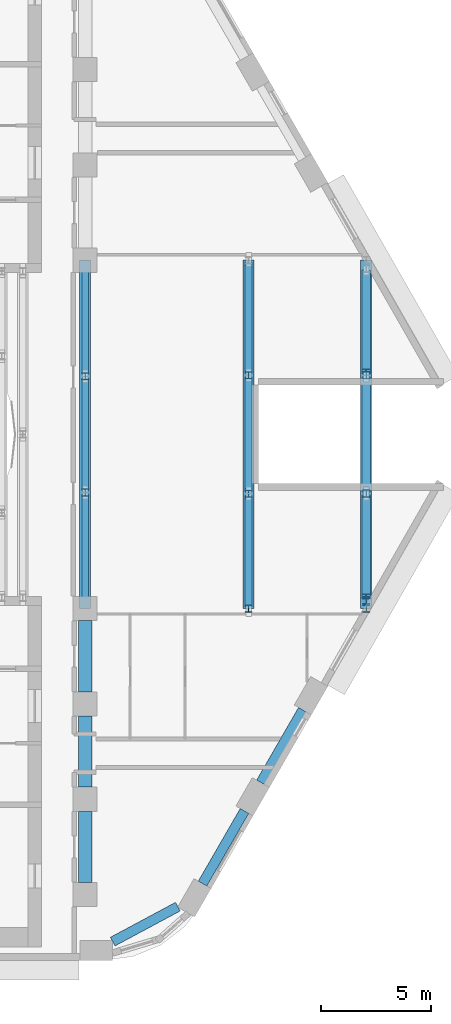
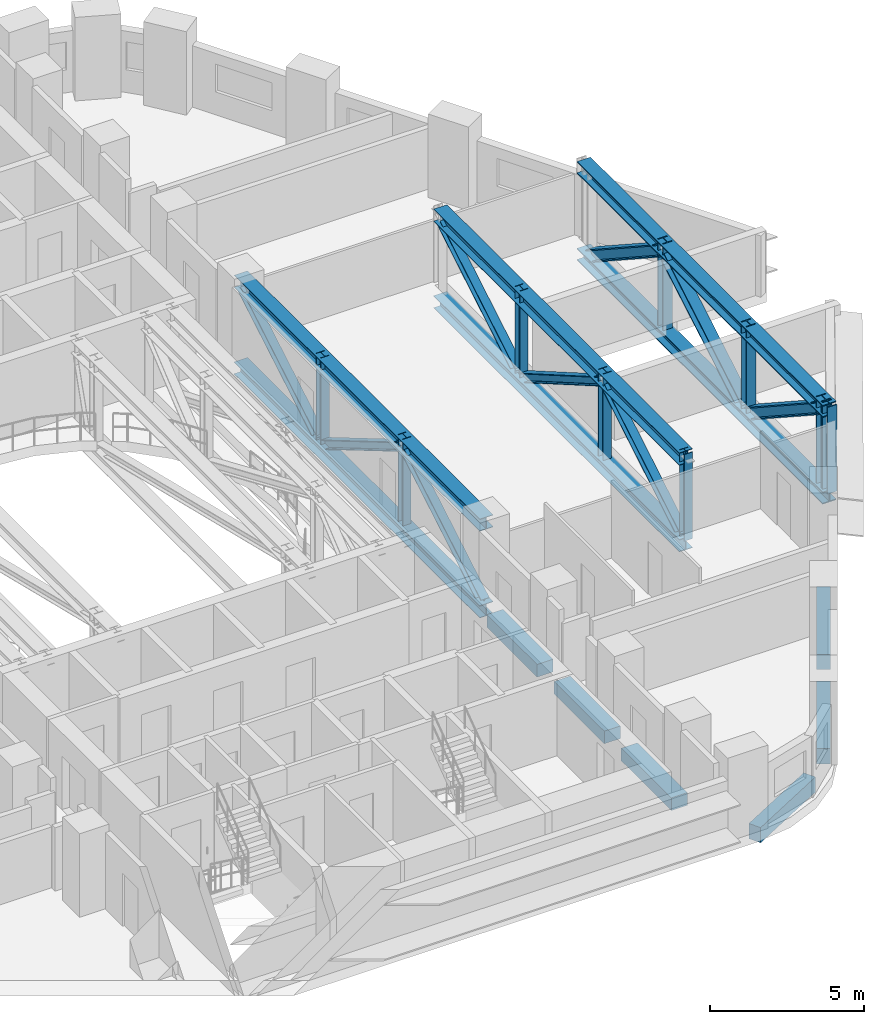
# One storey, part 3 of 18: 24 members, 6 beams.
"""IFC4 building model written with IfcOpenShell, lengths in metres."""

from ifc_helpers import new_model, si_unit, direction, frame, origin, origin_2d, place, context, subcontext, project, spatial, rectangle, i_section, extrude, material, material_profile, profile_set, type_object, element, save


model = new_model("IFC4")

# Units and contexts
model_context = context("Model", 3, precision=1e-05, world=origin(), true_north=direction((0.0, 1.0)))
body_context = subcontext(model_context, "Body", "Model", "MODEL_VIEW")
ifc_project = project(units=[si_unit("LENGTHUNIT", "METRE"), si_unit("AREAUNIT", "SQUARE_METRE"), si_unit("VOLUMEUNIT", "CUBIC_METRE"), si_unit("PLANEANGLEUNIT", "RADIAN"), si_unit("MASSUNIT", "GRAM", prefix="KILO")], contexts=[model_context])

# Site, building, storey
site_placement = place(None, origin())
site = spatial("IfcSite", under=ifc_project, at=site_placement, CompositionType="ELEMENT")
building_placement = place(site_placement, origin())
building = spatial("IfcBuilding", under=site, at=building_placement, Name="Nakaniwa Court", CompositionType="ELEMENT")
storey_placement = place(building_placement, frame((0.0, 0.0, 38.10009765625)))
storey = spatial("IfcBuildingStorey", under=building, at=storey_placement, Name="L09", CompositionType="ELEMENT", Elevation=38.10009765625)

# Beams
ifc_material_1 = material(Name="Concrete C100/115", Category="concrete")
ifc_material_profile_1 = material_profile(ifc_material_1, rectangle(XDim=0.449951171875, YDim=0.60009765625, at=origin_2d()), Name="Concrete C100/115 RC 450x600 spandrel beam")
ifc_profile_set_1 = profile_set([ifc_material_profile_1], Name="Concrete C100/115")
beam_type_1 = type_object("IfcBeamType", Name="Concrete C100/115 RC 450x600 spandrel beam", PredefinedType="BEAM", material=ifc_profile_set_1)
beam_1_placement = place(storey_placement, frame((91.257080078125, 56.852294921875, -0.7001953125), z_axis=(0.881234537383, 0.472679267711, 0.0), x_axis=(-0.472679267711, 0.881234537383, 0.0)))
element("IfcBeam", 1, at=beam_1_placement, inside=storey, type_object=beam_type_1, Name="SPANDREL BEAM", PredefinedType="BEAM", context=body_context, shape_type="SweptSolid", body=[
    extrude(rectangle(XDim=0.449951171875, YDim=0.60009765625, at=origin_2d()), origin(), (0.0, 0.0, 1.0), 3.373291015625),
])
beam_2_placement = place(storey_placement, frame((95.357421875, 59.5, -0.7001953125), z_axis=(0.500009674092, 0.866019818373, 0.0), x_axis=(-0.866019818373, 0.500009674092, 0.0)))
element("IfcBeam", 2, at=beam_2_placement, inside=storey, type_object=beam_type_1, Name="SPANDREL BEAM", PredefinedType="BEAM", context=body_context, shape_type="SweptSolid", body=[
    extrude(rectangle(XDim=0.449951171875, YDim=0.60009765625, at=origin_2d()), origin(), (0.0, 0.0, 1.0), 3.826171875),
])
beam_3_placement = place(storey_placement, frame((98.0205078125, 64.1123046875, -0.7001953125), z_axis=(0.499961815444, 0.866047448526, 0.0), x_axis=(-0.866047448526, 0.499961815444, 0.0)))
element("IfcBeam", 3, at=beam_3_placement, inside=storey, type_object=beam_type_1, Name="SPANDREL BEAM", PredefinedType="BEAM", context=body_context, shape_type="SweptSolid", body=[
    extrude(rectangle(XDim=0.449951171875, YDim=0.60009765625, at=origin_2d()), origin(), (0.0, 0.0, 1.0), 3.825927734375),
])
ifc_material_profile_2 = material_profile(ifc_material_1, rectangle(XDim=0.60009765625, YDim=0.5, at=origin_2d()), Name="Concrete C100/115 RC 600x500 ring beam")
ifc_profile_set_2 = profile_set([ifc_material_profile_2], Name="Concrete C100/115")
beam_type_2 = type_object("IfcBeamType", Name="Concrete C100/115 RC 600x500 ring beam", PredefinedType="BEAM", material=ifc_profile_set_2)
for number, where, z_axis, x_axis, name in (
    (4, (90.0, 59.550048828125, -0.650146484375), (0.0, 1.0, 0.0), (-1.0, 0.0, 0.0), "RING BEAM"),
    (5, (90.0, 63.89990234375, -0.650146484375), (0.0, 1.0, 0.0), (-1.0, 0.0, 0.0), "RING BEAM"),
    (6, (90.0, 68.25, -0.650146484375), (0.0, 1.0, 0.0), (-1.0, 0.0, 0.0), "RING BEAM"),
):
    element("IfcBeam", number, at=place(storey_placement, frame(where, z_axis=z_axis, x_axis=x_axis)), inside=storey, type_object=beam_type_2, Name=name, PredefinedType="BEAM", context=body_context, shape_type="SweptSolid", body=[
        extrude(rectangle(XDim=0.60009765625, YDim=0.5, at=origin_2d()), origin(), (0.0, 0.0, 1.0), 3.25),
    ])

# Members
ifc_material_2 = material(Name="Steel Grade 350", Category="steel")
ifc_material_profile_3 = material_profile(ifc_material_2, i_section(OverallWidth=0.5, OverallDepth=0.489990234375, WebThickness=0.02001953125, FlangeThickness=0.02001953125, at=origin_2d()), Name="500WC228")
ifc_profile_set_3 = profile_set([ifc_material_profile_3], Name="Steel Grade 350")
member_type_1 = type_object("IfcMemberType", Name="TRANSFER chord 500 WC228", PredefinedType="CHORD", material=ifc_profile_set_3)
for number, where, z_axis, x_axis, name in (
    (7, (90.0, 72.050048828125, -0.64501953125), (0.0, 1.0, 0.0), (-1.0, 0.0, 0.0), "TRANSFER CHORD TT-10-B"),
    (8, (90.0, 72.050048828125, 2.77978515625), (0.0, 1.0, 0.0), (-1.0, 0.0, 0.0), "TRANSFER CHORD TT-10-T"),
    (9, (97.4580078125, 72.050048828125, -0.64501953125), (0.0, 1.0, 0.0), (-1.0, 0.0, 0.0), "TRANSFER CHORD TT-11-B"),
    (10, (97.4580078125, 72.050048828125, 2.77978515625), (0.0, 1.0, 0.0), (-1.0, 0.0, 0.0), "TRANSFER CHORD TT-11-T"),
):
    element("IfcMember", number, at=place(storey_placement, frame(where, z_axis=z_axis, x_axis=x_axis)), inside=storey, type_object=member_type_1, Name=name, PredefinedType="CHORD", context=body_context, shape_type="SweptSolid", body=[
        extrude(i_section(OverallWidth=0.5, OverallDepth=0.489990234375, WebThickness=0.02001953125, FlangeThickness=0.02001953125, at=origin_2d()), origin(), (0.0, 0.0, 1.0), 15.89990234375),
    ])
ifc_material_profile_4 = material_profile(ifc_material_2, i_section(OverallWidth=0.5, OverallDepth=0.47998046875, WebThickness=0.0400390625, FlangeThickness=0.0400390625, at=origin_2d()), Name="500WC440")
ifc_profile_set_4 = profile_set([ifc_material_profile_4], Name="Steel Grade 350")
member_type_2 = type_object("IfcMemberType", Name="TRANSFER chord 500 WC440", PredefinedType="CHORD", material=ifc_profile_set_4)
for number, where, z_axis, x_axis, name in (
    (11, (102.822998046875, 72.050048828125, -0.64013671875), (0.0, 1.0, 0.0), (-1.0, 0.0, 0.0), "TRANSFER CHORD TT-12-B"),
    (12, (102.822998046875, 72.050048828125, 2.784912109375), (0.0, 1.0, 0.0), (-1.0, 0.0, 0.0), "TRANSFER CHORD TT-12-T"),
):
    element("IfcMember", number, at=place(storey_placement, frame(where, z_axis=z_axis, x_axis=x_axis)), inside=storey, type_object=member_type_2, Name=name, PredefinedType="CHORD", context=body_context, shape_type="SweptSolid", body=[
        extrude(i_section(OverallWidth=0.5, OverallDepth=0.47998046875, WebThickness=0.0400390625, FlangeThickness=0.0400390625, at=origin_2d()), origin(), (0.0, 0.0, 1.0), 15.89990234375),
    ])
ifc_material_profile_5 = material_profile(ifc_material_2, i_section(OverallWidth=0.31103515625, OverallDepth=0.326904296875, WebThickness=0.015625, FlangeThickness=0.02490234375, FilletRadius=0.0166015625, at=origin_2d()), Name="310UC158")
ifc_profile_set_5 = profile_set([ifc_material_profile_5], Name="Steel Grade 350")
member_type_3 = type_object("IfcMemberType", Name="TRANSFER diagonal 310 UC158", PredefinedType="BRACE", material=ifc_profile_set_5)
for number, where, z_axis, x_axis, name in (
    (13, (90.0, 72.21044921875, -0.400146484375), (0.0, 0.861462568117, 0.507821074527), (-1.0, 0.0, 0.0), "TRANSFER DIAGONAL TT-10-D1"),
    (14, (90.0, 77.510498046875, 2.534912109375), (0.0, 0.861462568117, -0.507821074527), (-1.0, 0.0, 0.0), "TRANSFER DIAGONAL TT-10-D2"),
    (15, (90.0, 82.810546875, -0.400146484375), (0.0, 0.861462568117, 0.507821074527), (-1.0, 0.0, 0.0), "TRANSFER DIAGONAL TT-10-D3"),
):
    element("IfcMember", number, at=place(storey_placement, frame(where, z_axis=z_axis, x_axis=x_axis)), inside=storey, type_object=member_type_3, Name=name, PredefinedType="BRACE", context=body_context, shape_type="SweptSolid", body=[
        extrude(i_section(OverallWidth=0.31103515625, OverallDepth=0.326904296875, WebThickness=0.015625, FlangeThickness=0.02490234375, FilletRadius=0.0166015625, at=origin_2d()), origin(), (0.0, 0.0, 1.0), 5.77978515625),
    ])
member_1_placement = place(storey_placement, frame((97.4580078125, 72.21044921875, -0.400146484375), z_axis=(0.0, 0.859204246042, 0.511632742876), x_axis=(-1.0, 0.0, 0.0)))
element("IfcMember", 16, at=member_1_placement, inside=storey, type_object=member_type_3, Name="TRANSFER DIAGONAL TT-11-D1", PredefinedType="BRACE", context=body_context, shape_type="SweptSolid", body=[
    extrude(i_section(OverallWidth=0.31103515625, OverallDepth=0.326904296875, WebThickness=0.015625, FlangeThickness=0.02490234375, FilletRadius=0.0166015625, at=origin_2d()), origin(), (0.0, 0.0, 1.0), 5.736572265625),
])
member_2_placement = place(storey_placement, frame((97.4580078125, 77.46044921875, 2.534912109375), z_axis=(0.0, 0.865830617694, -0.500337227741), x_axis=(-1.0, 0.0, 0.0)))
element("IfcMember", 17, at=member_2_placement, inside=storey, type_object=member_type_3, Name="TRANSFER DIAGONAL TT-11-D2", PredefinedType="BRACE", context=body_context, shape_type="SweptSolid", body=[
    extrude(i_section(OverallWidth=0.31103515625, OverallDepth=0.326904296875, WebThickness=0.015625, FlangeThickness=0.02490234375, FilletRadius=0.0166015625, at=origin_2d()), origin(), (0.0, 0.0, 1.0), 5.8662109375),
])
member_3_placement = place(storey_placement, frame((97.4580078125, 82.860595703125, -0.400146484375), z_axis=(0.0, 0.859204246042, 0.511632742876), x_axis=(-1.0, 0.0, 0.0)))
element("IfcMember", 18, at=member_3_placement, inside=storey, type_object=member_type_3, Name="TRANSFER DIAGONAL TT-11-D3", PredefinedType="BRACE", context=body_context, shape_type="SweptSolid", body=[
    extrude(i_section(OverallWidth=0.31103515625, OverallDepth=0.326904296875, WebThickness=0.015625, FlangeThickness=0.02490234375, FilletRadius=0.0166015625, at=origin_2d()), origin(), (0.0, 0.0, 1.0), 5.736572265625),
])
ifc_material_profile_6 = material_profile(ifc_material_2, i_section(OverallWidth=0.39990234375, OverallDepth=0.429931640625, WebThickness=0.0400390625, FlangeThickness=0.0400390625, at=origin_2d()), Name="400WC361")
ifc_profile_set_6 = profile_set([ifc_material_profile_6], Name="Steel Grade 350")
member_type_4 = type_object("IfcMemberType", Name="TRANSFER diagonal 400 WC361", PredefinedType="BRACE", material=ifc_profile_set_6)
member_4_placement = place(storey_placement, frame((102.822998046875, 72.60791015625, 2.544921875), z_axis=(0.0, 0.837548419384, -0.546363107454), x_axis=(-1.0, 0.0, 0.0)))
element("IfcMember", 19, at=member_4_placement, inside=storey, type_object=member_type_4, Name="TRANSFER DIAGONAL TT-12-D2", PredefinedType="BRACE", context=body_context, shape_type="SweptSolid", body=[
    extrude(i_section(OverallWidth=0.39990234375, OverallDepth=0.429931640625, WebThickness=0.0400390625, FlangeThickness=0.0400390625, at=origin_2d()), origin(), (0.0, 0.0, 1.0), 5.390380859375),
])
member_5_placement = place(storey_placement, frame((102.822998046875, 77.4775390625, -0.400146484375), z_axis=(0.0, 0.863615147142, 0.504151641501), x_axis=(-1.0, 0.0, 0.0)))
element("IfcMember", 20, at=member_5_placement, inside=storey, type_object=member_type_4, Name="TRANSFER DIAGONAL TT-12-D3", PredefinedType="BRACE", context=body_context, shape_type="SweptSolid", body=[
    extrude(i_section(OverallWidth=0.39990234375, OverallDepth=0.429931640625, WebThickness=0.0400390625, FlangeThickness=0.0400390625, at=origin_2d()), origin(), (0.0, 0.0, 1.0), 5.841552734375),
])
member_6_placement = place(storey_placement, frame((102.822998046875, 82.87744140625, 2.544921875), z_axis=(0.0, 0.837548419384, -0.546363107454), x_axis=(-1.0, 0.0, 0.0)))
element("IfcMember", 21, at=member_6_placement, inside=storey, type_object=member_type_4, Name="TRANSFER DIAGONAL TT-12-D4", PredefinedType="BRACE", context=body_context, shape_type="SweptSolid", body=[
    extrude(i_section(OverallWidth=0.39990234375, OverallDepth=0.429931640625, WebThickness=0.0400390625, FlangeThickness=0.0400390625, at=origin_2d()), origin(), (0.0, 0.0, 1.0), 5.390380859375),
])
ifc_material_profile_7 = material_profile(ifc_material_2, i_section(OverallWidth=0.30908203125, OverallDepth=0.321044921875, WebThickness=0.013916015625, FlangeThickness=0.021728515625, FilletRadius=0.0166015625, at=origin_2d()), Name="310UC137")
ifc_profile_set_7 = profile_set([ifc_material_profile_7], Name="Steel Grade 350")
member_type_5 = type_object("IfcMemberType", Name="TRANSFER post 310 UC137", PredefinedType="POST", material=ifc_profile_set_7)
for number, where, z_axis, x_axis, name in (
    (22, (90.0, 77.35009765625, -0.400146484375), (0.0, 0.0, 1.0), (1.0, 0.0, 0.0), "TRANSFER POST TT-10-V2"),
    (23, (90.0, 82.64990234375, -0.400146484375), (0.0, 0.0, 1.0), (1.0, 0.0, 0.0), "TRANSFER POST TT-10-V3"),
    (24, (97.4580078125, 72.050048828125, -0.400146484375), (0.0, 0.0, 1.0), (1.0, 0.0, 0.0), "TRANSFER POST TT-11-V1"),
    (25, (97.4580078125, 77.300048828125, -0.400146484375), (0.0, 0.0, 1.0), (1.0, 0.0, 0.0), "TRANSFER POST TT-11-V2"),
    (26, (97.4580078125, 82.699951171875, -0.400146484375), (0.0, 0.0, 1.0), (1.0, 0.0, 0.0), "TRANSFER POST TT-11-V3"),
):
    element("IfcMember", number, at=place(storey_placement, frame(where, z_axis=z_axis, x_axis=x_axis)), inside=storey, type_object=member_type_5, Name=name, PredefinedType="POST", context=body_context, shape_type="SweptSolid", body=[
        extrude(i_section(OverallWidth=0.30908203125, OverallDepth=0.321044921875, WebThickness=0.013916015625, FlangeThickness=0.021728515625, FilletRadius=0.0166015625, at=origin_2d()), origin(), (0.0, 0.0, 1.0), 3.425048828125),
    ])
ifc_material_profile_8 = material_profile(ifc_material_2, i_section(OverallWidth=0.35009765625, OverallDepth=0.35498046875, WebThickness=0.028076171875, FlangeThickness=0.0400390625, at=origin_2d()), Name="350WC280")
ifc_profile_set_8 = profile_set([ifc_material_profile_8], Name="Steel Grade 350")
member_type_6 = type_object("IfcMemberType", Name="TRANSFER post 350 WC280", PredefinedType="POST", material=ifc_profile_set_8)
for number, where, z_axis, x_axis, name in (
    (27, (102.822998046875, 72.050048828125, -0.400146484375), (0.0, 0.0, 1.0), (1.0, 0.0, 0.0), "TRANSFER POST TT-12-V1"),
    (28, (102.822998046875, 72.430419921875, -0.400146484375), (0.0, 0.0, 1.0), (1.0, 0.0, 0.0), "TRANSFER POST TT-12-V2"),
    (29, (102.822998046875, 77.300048828125, -0.400146484375), (0.0, 0.0, 1.0), (1.0, 0.0, 0.0), "TRANSFER POST TT-12-V3"),
    (30, (102.822998046875, 82.699951171875, -0.400146484375), (0.0, 0.0, 1.0), (1.0, 0.0, 0.0), "TRANSFER POST TT-12-V4"),
):
    element("IfcMember", number, at=place(storey_placement, frame(where, z_axis=z_axis, x_axis=x_axis)), inside=storey, type_object=member_type_6, Name=name, PredefinedType="POST", context=body_context, shape_type="SweptSolid", body=[
        extrude(i_section(OverallWidth=0.35009765625, OverallDepth=0.35498046875, WebThickness=0.028076171875, FlangeThickness=0.0400390625, at=origin_2d()), origin(), (0.0, 0.0, 1.0), 3.425048828125),
    ])

save(model, "model.ifc")
